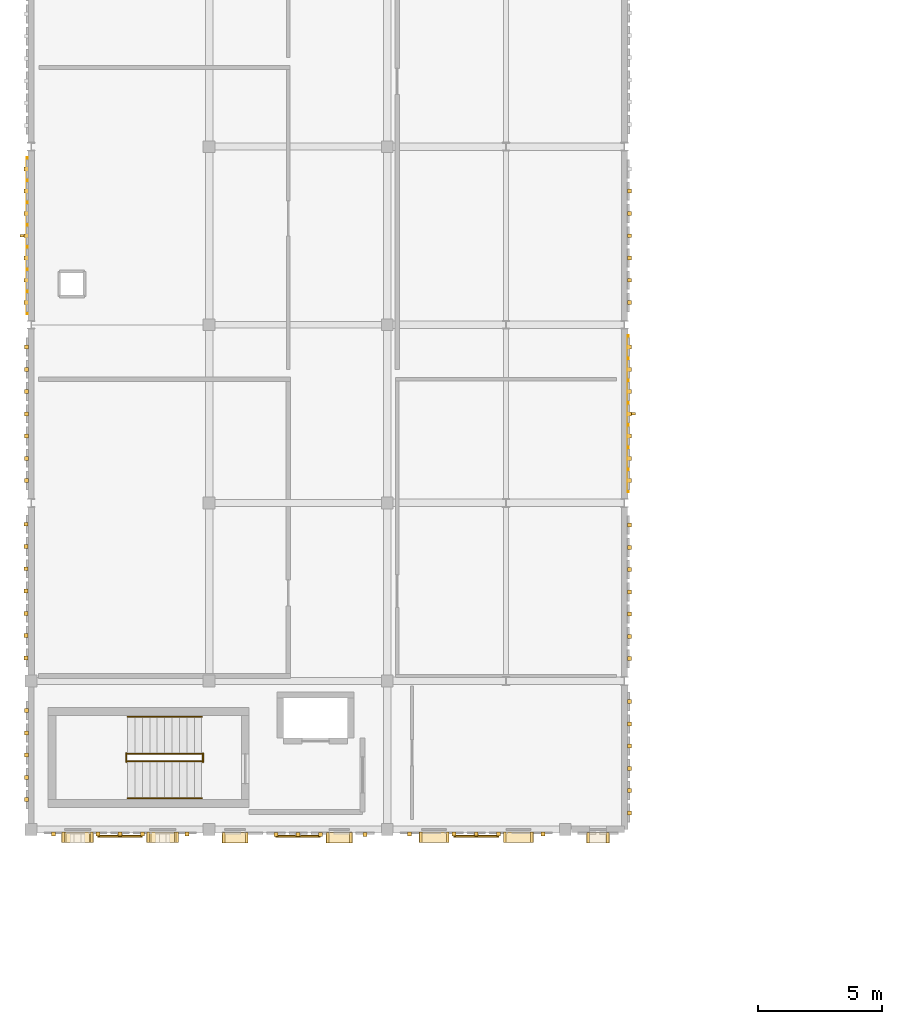
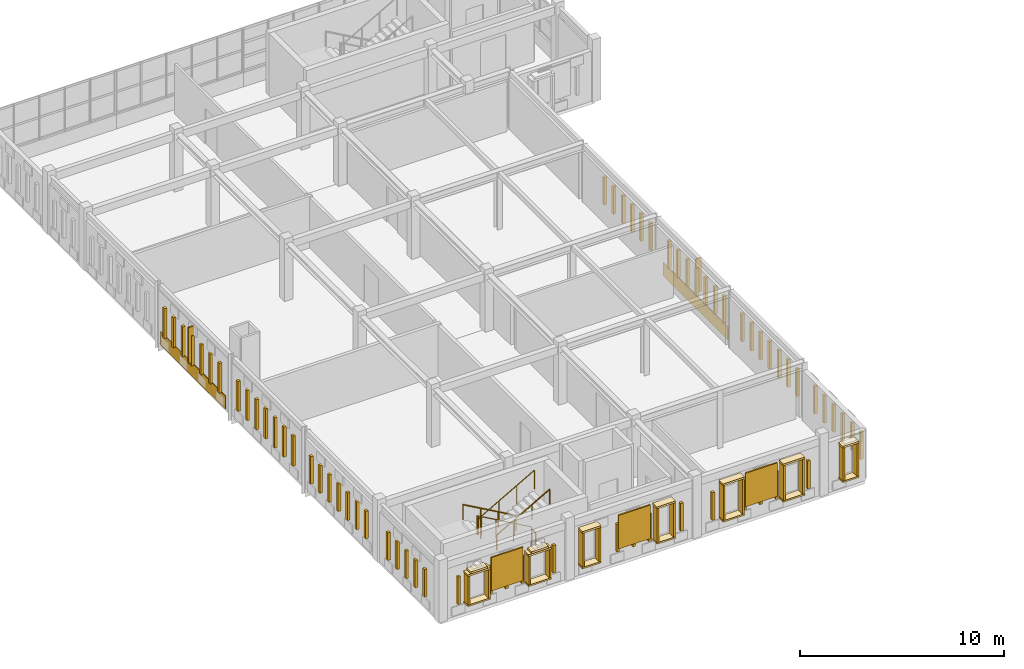
# One storey, part 40 of 53: 98 coverings, 6 railings, 5 shading devices.
"""IFC4 building model written with IfcOpenShell, lengths in metres."""

from ifc_helpers import new_model, si_unit, direction, frame, origin, origin_2d, place, context, subcontext, project, spatial, rectangle, circle, extrude, material, layer, layer_set, type_object, element, save


model = new_model("IFC4")

# Units and contexts
model_context = context("Model", 3, precision=1e-05, world=origin(), true_north=direction((0.0, 1.0)))
body_context = subcontext(model_context, "Body", "Model", "MODEL_VIEW")
ifc_project = project(units=[si_unit("LENGTHUNIT", "METRE"), si_unit("AREAUNIT", "SQUARE_METRE"), si_unit("VOLUMEUNIT", "CUBIC_METRE"), si_unit("PLANEANGLEUNIT", "RADIAN"), si_unit("MASSUNIT", "GRAM", prefix="KILO")], contexts=[model_context])

# Site, building, storey
site_placement = place(None, origin())
site = spatial("IfcSite", under=ifc_project, at=site_placement, CompositionType="ELEMENT")
building_placement = place(site_placement, origin())
building = spatial("IfcBuilding", under=site, at=building_placement, Name="Nzembalo Square Collegiate School", CompositionType="ELEMENT")
storey_placement = place(building_placement, frame((0.0, 0.0, 13.60009765625)))
storey = spatial("IfcBuildingStorey", under=building, at=storey_placement, Name="L03", CompositionType="ELEMENT", Elevation=13.60009765625)

# Coverings
ifc_material_1 = material(Name="Glazed cobalt ceramic patterned tile")
ifc_layer_1 = layer(ifc_material_1, 0.074951171875, Name="Glazed cobalt ceramic patterned tile")
ifc_layer_set_1 = layer_set([ifc_layer_1], Name="Glazed cobalt ceramic patterned tile")
covering_type_1 = type_object("IfcCoveringType", Name="CL01", PredefinedType="CLADDING", material=ifc_layer_set_1)
for number, where, z_axis, x_axis, name in (
    (1, (8.25244140625, 68.39990234375, 0.02001953125), (0.0, 0.0, 1.0), (1.0, 0.0, 0.0), "Faience spandrel cladding CL01-0228"),
    (2, (32.547607421875, 61.199951171875, 0.02001953125), (0.0, 0.0, 1.0), (1.0, 0.0, 0.0), "Faience spandrel cladding CL01-0236"),
):
    element("IfcCovering", number, at=place(storey_placement, frame(where, z_axis=z_axis, x_axis=x_axis)), inside=storey, type_object=covering_type_1, Name=name, PredefinedType="CLADDING", context=body_context, shape_type="SweptSolid", body=[
        extrude(rectangle(XDim=0.034912109375, YDim=6.35595703125, at=origin_2d()), origin(), (0.0, 0.0, 1.0), 0.800048828125),
    ])
ifc_material_2 = material(Name="Glazed ochre ceramic lancet rib")
ifc_layer_2 = layer(ifc_material_2, 0.159912109375, Name="Glazed ochre ceramic lancet rib")
ifc_layer_set_2 = layer_set([ifc_layer_2], Name="Glazed ochre ceramic lancet rib")
covering_type_2 = type_object("IfcCoveringType", Name="CL02", PredefinedType="CLADDING", material=ifc_layer_set_2)
for number, where, z_axis, x_axis, name in (
    (3, (9.300048828125, 44.20751953125, 0.760009765625), (0.0, 0.0, 1.0), (1.0, 0.0, 0.0), "Gothic ceramic rib CL02-X0221-0"),
    (4, (11.10009765625, 44.20751953125, 0.760009765625), (0.0, 0.0, 1.0), (1.0, 0.0, 0.0), "Gothic ceramic rib CL02-X0221-2"),
    (5, (12.0, 44.20751953125, 0.760009765625), (0.0, 0.0, 1.0), (1.0, 0.0, 0.0), "Gothic ceramic rib CL02-X0221-3"),
    (6, (12.89990234375, 44.20751953125, 0.760009765625), (0.0, 0.0, 1.0), (1.0, 0.0, 0.0), "Gothic ceramic rib CL02-X0221-4"),
    (7, (14.699951171875, 44.20751953125, 0.760009765625), (0.0, 0.0, 1.0), (1.0, 0.0, 0.0), "Gothic ceramic rib CL02-X0221-6"),
):
    element("IfcCovering", number, at=place(storey_placement, frame(where, z_axis=z_axis, x_axis=x_axis)), inside=storey, type_object=covering_type_2, Name=name, PredefinedType="CLADDING", context=body_context, shape_type="SweptSolid", body=[
        extrude(rectangle(XDim=0.159912109375, YDim=0.159912109375, at=origin_2d()), origin(), (0.0, 0.0, 1.0), 1.64892578125),
    ])
for number, where, z_axis, x_axis, name in (
    (8, (18.300048828125, 44.197509765625, 0.759765625), (0.0, 0.0, 1.0), (1.0, 0.0, 0.0), "Gothic ceramic rib CL02-X0222-2"),
    (9, (19.199951171875, 44.197509765625, 0.759765625), (0.0, 0.0, 1.0), (1.0, 0.0, 0.0), "Gothic ceramic rib CL02-X0222-3"),
    (10, (20.10009765625, 44.197509765625, 0.759765625), (0.0, 0.0, 1.0), (1.0, 0.0, 0.0), "Gothic ceramic rib CL02-X0222-4"),
    (11, (21.89990234375, 44.197509765625, 0.759765625), (0.0, 0.0, 1.0), (1.0, 0.0, 0.0), "Gothic ceramic rib CL02-X0222-6"),
    (12, (23.699951171875, 44.20751953125, 0.759765625), (0.0, 0.0, 1.0), (1.0, 0.0, 0.0), "Gothic ceramic rib CL02-X0223-0"),
    (13, (25.5, 44.20751953125, 0.759765625), (0.0, 0.0, 1.0), (1.0, 0.0, 0.0), "Gothic ceramic rib CL02-X0223-2"),
    (14, (26.39990234375, 44.20751953125, 0.759765625), (0.0, 0.0, 1.0), (1.0, 0.0, 0.0), "Gothic ceramic rib CL02-X0223-3"),
    (15, (27.300048828125, 44.20751953125, 0.759765625), (0.0, 0.0, 1.0), (1.0, 0.0, 0.0), "Gothic ceramic rib CL02-X0223-4"),
    (16, (29.10009765625, 44.20751953125, 0.759765625), (0.0, 0.0, 1.0), (1.0, 0.0, 0.0), "Gothic ceramic rib CL02-X0223-6"),
):
    element("IfcCovering", number, at=place(storey_placement, frame(where, z_axis=z_axis, x_axis=x_axis)), inside=storey, type_object=covering_type_2, Name=name, PredefinedType="CLADDING", context=body_context, shape_type="SweptSolid", body=[
        extrude(rectangle(XDim=0.159912109375, YDim=0.159912109375, at=origin_2d()), origin(), (0.0, 0.0, 1.0), 1.658935546875),
    ])
for number, where, z_axis, x_axis, name in (
    (17, (8.20751953125, 45.60009765625, 0.760009765625), (0.0, 0.0, 1.0), (1.0, 0.0, 0.0), "Gothic ceramic rib CL02-Y0225-0"),
    (18, (8.20751953125, 46.5, 0.760009765625), (0.0, 0.0, 1.0), (1.0, 0.0, 0.0), "Gothic ceramic rib CL02-Y0225-1"),
    (19, (8.20751953125, 47.39990234375, 0.760009765625), (0.0, 0.0, 1.0), (1.0, 0.0, 0.0), "Gothic ceramic rib CL02-Y0225-2"),
    (20, (8.20751953125, 48.300048828125, 0.760009765625), (0.0, 0.0, 1.0), (1.0, 0.0, 0.0), "Gothic ceramic rib CL02-Y0225-3"),
    (21, (8.20751953125, 49.199951171875, 0.760009765625), (0.0, 0.0, 1.0), (1.0, 0.0, 0.0), "Gothic ceramic rib CL02-Y0225-4"),
    (22, (8.197509765625, 51.3349609375, 0.760009765625), (0.0, 0.0, 1.0), (1.0, 0.0, 0.0), "Gothic ceramic rib CL02-Y0226-0"),
    (23, (8.197509765625, 52.235107421875, 0.760009765625), (0.0, 0.0, 1.0), (1.0, 0.0, 0.0), "Gothic ceramic rib CL02-Y0226-1"),
    (24, (8.197509765625, 53.135009765625, 0.760009765625), (0.0, 0.0, 1.0), (1.0, 0.0, 0.0), "Gothic ceramic rib CL02-Y0226-2"),
    (25, (8.197509765625, 54.034912109375, 0.760009765625), (0.0, 0.0, 1.0), (1.0, 0.0, 0.0), "Gothic ceramic rib CL02-Y0226-3"),
    (26, (8.197509765625, 54.93505859375, 0.760009765625), (0.0, 0.0, 1.0), (1.0, 0.0, 0.0), "Gothic ceramic rib CL02-Y0226-4"),
    (27, (8.197509765625, 55.8349609375, 0.760009765625), (0.0, 0.0, 1.0), (1.0, 0.0, 0.0), "Gothic ceramic rib CL02-Y0226-5"),
    (28, (8.197509765625, 56.735107421875, 0.760009765625), (0.0, 0.0, 1.0), (1.0, 0.0, 0.0), "Gothic ceramic rib CL02-Y0226-6"),
):
    element("IfcCovering", number, at=place(storey_placement, frame(where, z_axis=z_axis, x_axis=x_axis)), inside=storey, type_object=covering_type_2, Name=name, PredefinedType="CLADDING", context=body_context, shape_type="SweptSolid", body=[
        extrude(rectangle(XDim=0.159912109375, YDim=0.159912109375, at=origin_2d()), origin(), (0.0, 0.0, 1.0), 1.64892578125),
    ])
for number, where, z_axis, x_axis, name in (
    (29, (8.20751953125, 58.5, 0.759765625), (0.0, 0.0, 1.0), (1.0, 0.0, 0.0), "Gothic ceramic rib CL02-Y0227-0"),
    (30, (8.20751953125, 59.39990234375, 0.759765625), (0.0, 0.0, 1.0), (1.0, 0.0, 0.0), "Gothic ceramic rib CL02-Y0227-1"),
    (31, (8.20751953125, 60.300048828125, 0.759765625), (0.0, 0.0, 1.0), (1.0, 0.0, 0.0), "Gothic ceramic rib CL02-Y0227-2"),
    (32, (8.20751953125, 61.199951171875, 0.759765625), (0.0, 0.0, 1.0), (1.0, 0.0, 0.0), "Gothic ceramic rib CL02-Y0227-3"),
    (33, (8.20751953125, 62.10009765625, 0.759765625), (0.0, 0.0, 1.0), (1.0, 0.0, 0.0), "Gothic ceramic rib CL02-Y0227-4"),
    (34, (8.20751953125, 63.0, 0.759765625), (0.0, 0.0, 1.0), (1.0, 0.0, 0.0), "Gothic ceramic rib CL02-Y0227-5"),
    (35, (8.20751953125, 63.89990234375, 0.759765625), (0.0, 0.0, 1.0), (1.0, 0.0, 0.0), "Gothic ceramic rib CL02-Y0227-6"),
    (36, (8.197509765625, 65.699951171875, 0.759765625), (0.0, 0.0, 1.0), (1.0, 0.0, 0.0), "Gothic ceramic rib CL02-Y0228-0"),
    (37, (8.197509765625, 66.60009765625, 0.759765625), (0.0, 0.0, 1.0), (1.0, 0.0, 0.0), "Gothic ceramic rib CL02-Y0228-1"),
    (38, (8.197509765625, 67.5, 0.759765625), (0.0, 0.0, 1.0), (1.0, 0.0, 0.0), "Gothic ceramic rib CL02-Y0228-2"),
    (39, (8.197509765625, 68.39990234375, 0.759765625), (0.0, 0.0, 1.0), (1.0, 0.0, 0.0), "Gothic ceramic rib CL02-Y0228-3"),
    (40, (8.197509765625, 69.300048828125, 0.759765625), (0.0, 0.0, 1.0), (1.0, 0.0, 0.0), "Gothic ceramic rib CL02-Y0228-4"),
    (41, (8.197509765625, 70.199951171875, 0.759765625), (0.0, 0.0, 1.0), (1.0, 0.0, 0.0), "Gothic ceramic rib CL02-Y0228-5"),
    (42, (8.197509765625, 71.10009765625, 0.759765625), (0.0, 0.0, 1.0), (1.0, 0.0, 0.0), "Gothic ceramic rib CL02-Y0228-6"),
):
    element("IfcCovering", number, at=place(storey_placement, frame(where, z_axis=z_axis, x_axis=x_axis)), inside=storey, type_object=covering_type_2, Name=name, PredefinedType="CLADDING", context=body_context, shape_type="SweptSolid", body=[
        extrude(rectangle(XDim=0.159912109375, YDim=0.159912109375, at=origin_2d()), origin(), (0.0, 0.0, 1.0), 1.799072265625),
    ])
for number, where, z_axis, x_axis, name in (
    (43, (32.6025390625, 45.06396484375, 0.760009765625), (0.0, 0.0, 1.0), (1.0, 0.0, 0.0), "Gothic ceramic rib CL02-Y0234-0"),
    (44, (32.6025390625, 45.964111328125, 0.760009765625), (0.0, 0.0, 1.0), (1.0, 0.0, 0.0), "Gothic ceramic rib CL02-Y0234-1"),
    (45, (32.6025390625, 46.864013671875, 0.760009765625), (0.0, 0.0, 1.0), (1.0, 0.0, 0.0), "Gothic ceramic rib CL02-Y0234-2"),
    (46, (32.6025390625, 47.763916015625, 0.760009765625), (0.0, 0.0, 1.0), (1.0, 0.0, 0.0), "Gothic ceramic rib CL02-Y0234-3"),
    (47, (32.6025390625, 48.6640625, 0.760009765625), (0.0, 0.0, 1.0), (1.0, 0.0, 0.0), "Gothic ceramic rib CL02-Y0234-4"),
    (48, (32.6025390625, 49.56396484375, 0.760009765625), (0.0, 0.0, 1.0), (1.0, 0.0, 0.0), "Gothic ceramic rib CL02-Y0234-5"),
    (49, (32.592529296875, 51.300048828125, 0.760009765625), (0.0, 0.0, 1.0), (1.0, 0.0, 0.0), "Gothic ceramic rib CL02-Y0235-0"),
    (50, (32.592529296875, 52.199951171875, 0.760009765625), (0.0, 0.0, 1.0), (1.0, 0.0, 0.0), "Gothic ceramic rib CL02-Y0235-1"),
    (51, (32.592529296875, 53.10009765625, 0.760009765625), (0.0, 0.0, 1.0), (1.0, 0.0, 0.0), "Gothic ceramic rib CL02-Y0235-2"),
    (52, (32.592529296875, 54.0, 0.760009765625), (0.0, 0.0, 1.0), (1.0, 0.0, 0.0), "Gothic ceramic rib CL02-Y0235-3"),
    (53, (32.592529296875, 54.89990234375, 0.760009765625), (0.0, 0.0, 1.0), (1.0, 0.0, 0.0), "Gothic ceramic rib CL02-Y0235-4"),
    (54, (32.592529296875, 55.800048828125, 0.760009765625), (0.0, 0.0, 1.0), (1.0, 0.0, 0.0), "Gothic ceramic rib CL02-Y0235-5"),
    (55, (32.592529296875, 56.699951171875, 0.760009765625), (0.0, 0.0, 1.0), (1.0, 0.0, 0.0), "Gothic ceramic rib CL02-Y0235-6"),
    (56, (32.6025390625, 58.5, 0.760009765625), (0.0, 0.0, 1.0), (1.0, 0.0, 0.0), "Gothic ceramic rib CL02-Y0236-0"),
    (57, (32.6025390625, 59.39990234375, 0.760009765625), (0.0, 0.0, 1.0), (1.0, 0.0, 0.0), "Gothic ceramic rib CL02-Y0236-1"),
    (58, (32.6025390625, 60.300048828125, 0.760009765625), (0.0, 0.0, 1.0), (1.0, 0.0, 0.0), "Gothic ceramic rib CL02-Y0236-2"),
    (59, (32.6025390625, 61.199951171875, 0.760009765625), (0.0, 0.0, 1.0), (1.0, 0.0, 0.0), "Gothic ceramic rib CL02-Y0236-3"),
    (60, (32.6025390625, 62.10009765625, 0.760009765625), (0.0, 0.0, 1.0), (1.0, 0.0, 0.0), "Gothic ceramic rib CL02-Y0236-4"),
    (61, (32.6025390625, 63.0, 0.760009765625), (0.0, 0.0, 1.0), (1.0, 0.0, 0.0), "Gothic ceramic rib CL02-Y0236-5"),
    (62, (32.6025390625, 63.89990234375, 0.760009765625), (0.0, 0.0, 1.0), (1.0, 0.0, 0.0), "Gothic ceramic rib CL02-Y0236-6"),
    (63, (32.592529296875, 65.699951171875, 0.760009765625), (0.0, 0.0, 1.0), (1.0, 0.0, 0.0), "Gothic ceramic rib CL02-Y0237-0"),
    (64, (32.592529296875, 66.60009765625, 0.760009765625), (0.0, 0.0, 1.0), (1.0, 0.0, 0.0), "Gothic ceramic rib CL02-Y0237-1"),
    (65, (32.592529296875, 67.5, 0.760009765625), (0.0, 0.0, 1.0), (1.0, 0.0, 0.0), "Gothic ceramic rib CL02-Y0237-2"),
    (66, (32.592529296875, 68.39990234375, 0.760009765625), (0.0, 0.0, 1.0), (1.0, 0.0, 0.0), "Gothic ceramic rib CL02-Y0237-3"),
    (67, (32.592529296875, 69.300048828125, 0.760009765625), (0.0, 0.0, 1.0), (1.0, 0.0, 0.0), "Gothic ceramic rib CL02-Y0237-4"),
    (68, (32.592529296875, 70.199951171875, 0.760009765625), (0.0, 0.0, 1.0), (1.0, 0.0, 0.0), "Gothic ceramic rib CL02-Y0237-5"),
):
    element("IfcCovering", number, at=place(storey_placement, frame(where, z_axis=z_axis, x_axis=x_axis)), inside=storey, type_object=covering_type_2, Name=name, PredefinedType="CLADDING", context=body_context, shape_type="SweptSolid", body=[
        extrude(rectangle(XDim=0.159912109375, YDim=0.159912109375, at=origin_2d()), origin(), (0.0, 0.0, 1.0), 1.64892578125),
    ])
ifc_material_3 = material(Name="Glazed celadon ceramic window frame")
ifc_layer_3 = layer(ifc_material_3, 0.419921875, Name="Glazed celadon ceramic window frame")
ifc_layer_set_3 = layer_set([ifc_layer_3], Name="Glazed celadon ceramic window frame")
covering_type_3 = type_object("IfcCoveringType", Name="WF01", PredefinedType="CLADDING", material=ifc_layer_set_3)
covering_1_placement = place(storey_placement, frame((10.278564453125, 44.072509765625, 2.455078125), z_axis=(0.0, 0.0, 1.0), x_axis=(1.0, 0.0, 0.0)))
element("IfcCovering", 69, at=covering_1_placement, inside=storey, type_object=covering_type_3, Name="Deep lancet window hood WF01-0679", PredefinedType="CLADDING", context=body_context, shape_type="SweptSolid", body=[
    extrude(rectangle(XDim=1.2900390625, YDim=0.419921875, at=origin_2d()), origin(), (0.0, 0.0, 1.0), 0.110107421875),
])
covering_2_placement = place(storey_placement, frame((10.278564453125, 44.072509765625, 2.559814453125), z_axis=(0.0, 0.0, 1.0), x_axis=(1.0, 0.0, 0.0)))
element("IfcCovering", 70, at=covering_2_placement, inside=storey, type_object=covering_type_3, Name="Pointed lancet gable WF01-0679-1", PredefinedType="CLADDING", context=body_context, shape_type="SweptSolid", body=[
    extrude(rectangle(XDim=0.949951171875, YDim=0.419921875, at=origin_2d()), origin(), (0.0, 0.0, 1.0), 0.1201171875),
])
covering_3_placement = place(storey_placement, frame((10.278564453125, 44.072509765625, 0.65478515625), z_axis=(0.0, 0.0, 1.0), x_axis=(1.0, 0.0, 0.0)))
element("IfcCovering", 71, at=covering_3_placement, inside=storey, type_object=covering_type_3, Name="Deep lancet window sill WF01-0679", PredefinedType="CLADDING", context=body_context, shape_type="SweptSolid", body=[
    extrude(rectangle(XDim=1.2900390625, YDim=0.419921875, at=origin_2d()), origin(), (0.0, 0.0, 1.0), 0.090087890625),
])
for number, where, z_axis, x_axis, name in (
    (72, (9.698486328125, 44.072509765625, 0.75), (0.0, 0.0, 1.0), (1.0, 0.0, 0.0), "Deep lancet window jamb WF01-0679L"),
    (73, (10.8583984375, 44.072509765625, 0.75), (0.0, 0.0, 1.0), (1.0, 0.0, 0.0), "Deep lancet window jamb WF01-0679R"),
):
    element("IfcCovering", number, at=place(storey_placement, frame(where, z_axis=z_axis, x_axis=x_axis)), inside=storey, type_object=covering_type_3, Name=name, PredefinedType="CLADDING", context=body_context, shape_type="SweptSolid", body=[
        extrude(rectangle(XDim=0.10009765625, YDim=0.419921875, at=origin_2d()), origin(), (0.0, 0.0, 1.0), 1.699951171875),
    ])
covering_4_placement = place(storey_placement, frame((13.721435546875, 44.072509765625, 2.455078125), z_axis=(0.0, 0.0, 1.0), x_axis=(1.0, 0.0, 0.0)))
element("IfcCovering", 74, at=covering_4_placement, inside=storey, type_object=covering_type_3, Name="Deep lancet window hood WF01-0680", PredefinedType="CLADDING", context=body_context, shape_type="SweptSolid", body=[
    extrude(rectangle(XDim=1.2900390625, YDim=0.419921875, at=origin_2d()), origin(), (0.0, 0.0, 1.0), 0.110107421875),
])
covering_5_placement = place(storey_placement, frame((13.721435546875, 44.072509765625, 2.559814453125), z_axis=(0.0, 0.0, 1.0), x_axis=(1.0, 0.0, 0.0)))
element("IfcCovering", 75, at=covering_5_placement, inside=storey, type_object=covering_type_3, Name="Pointed lancet gable WF01-0680-1", PredefinedType="CLADDING", context=body_context, shape_type="SweptSolid", body=[
    extrude(rectangle(XDim=0.949951171875, YDim=0.419921875, at=origin_2d()), origin(), (0.0, 0.0, 1.0), 0.1201171875),
])
covering_6_placement = place(storey_placement, frame((13.721435546875, 44.072509765625, 0.65478515625), z_axis=(0.0, 0.0, 1.0), x_axis=(1.0, 0.0, 0.0)))
element("IfcCovering", 76, at=covering_6_placement, inside=storey, type_object=covering_type_3, Name="Deep lancet window sill WF01-0680", PredefinedType="CLADDING", context=body_context, shape_type="SweptSolid", body=[
    extrude(rectangle(XDim=1.2900390625, YDim=0.419921875, at=origin_2d()), origin(), (0.0, 0.0, 1.0), 0.090087890625),
])
for number, where, z_axis, x_axis, name in (
    (77, (13.1416015625, 44.072509765625, 0.75), (0.0, 0.0, 1.0), (1.0, 0.0, 0.0), "Deep lancet window jamb WF01-0680L"),
    (78, (14.301513671875, 44.072509765625, 0.75), (0.0, 0.0, 1.0), (1.0, 0.0, 0.0), "Deep lancet window jamb WF01-0680R"),
):
    element("IfcCovering", number, at=place(storey_placement, frame(where, z_axis=z_axis, x_axis=x_axis)), inside=storey, type_object=covering_type_3, Name=name, PredefinedType="CLADDING", context=body_context, shape_type="SweptSolid", body=[
        extrude(rectangle(XDim=0.10009765625, YDim=0.419921875, at=origin_2d()), origin(), (0.0, 0.0, 1.0), 1.699951171875),
    ])
covering_7_placement = place(storey_placement, frame((16.64990234375, 44.0625, 2.77490234375), z_axis=(0.0, 0.0, 1.0), x_axis=(1.0, 0.0, 0.0)))
element("IfcCovering", 79, at=covering_7_placement, inside=storey, type_object=covering_type_3, Name="Deep lancet window hood WF01-0703", PredefinedType="CLADDING", context=body_context, shape_type="SweptSolid", body=[
    extrude(rectangle(XDim=1.06005859375, YDim=0.419921875, at=origin_2d()), origin(), (0.0, 0.0, 1.0), 0.110107421875),
])
covering_8_placement = place(storey_placement, frame((16.64990234375, 44.0625, 0.65478515625), z_axis=(0.0, 0.0, 1.0), x_axis=(1.0, 0.0, 0.0)))
element("IfcCovering", 80, at=covering_8_placement, inside=storey, type_object=covering_type_3, Name="Deep lancet window sill WF01-0703", PredefinedType="CLADDING", context=body_context, shape_type="SweptSolid", body=[
    extrude(rectangle(XDim=1.06005859375, YDim=0.419921875, at=origin_2d()), origin(), (0.0, 0.0, 1.0), 0.090087890625),
])
for number, where, z_axis, x_axis, name in (
    (81, (16.18505859375, 44.0625, 0.75), (0.0, 0.0, 1.0), (1.0, 0.0, 0.0), "Deep lancet window jamb WF01-0703L"),
    (82, (17.114990234375, 44.0625, 0.75), (0.0, 0.0, 1.0), (1.0, 0.0, 0.0), "Deep lancet window jamb WF01-0703R"),
):
    element("IfcCovering", number, at=place(storey_placement, frame(where, z_axis=z_axis, x_axis=x_axis)), inside=storey, type_object=covering_type_3, Name=name, PredefinedType="CLADDING", context=body_context, shape_type="SweptSolid", body=[
        extrude(rectangle(XDim=0.10009765625, YDim=0.419921875, at=origin_2d()), origin(), (0.0, 0.0, 1.0), 2.02001953125),
    ])
covering_9_placement = place(storey_placement, frame((20.864013671875, 44.0625, 2.77490234375), z_axis=(0.0, 0.0, 1.0), x_axis=(1.0, 0.0, 0.0)))
element("IfcCovering", 83, at=covering_9_placement, inside=storey, type_object=covering_type_3, Name="Deep lancet window hood WF01-0704", PredefinedType="CLADDING", context=body_context, shape_type="SweptSolid", body=[
    extrude(rectangle(XDim=1.06005859375, YDim=0.419921875, at=origin_2d()), origin(), (0.0, 0.0, 1.0), 0.110107421875),
])
covering_10_placement = place(storey_placement, frame((20.864013671875, 44.0625, 0.65478515625), z_axis=(0.0, 0.0, 1.0), x_axis=(1.0, 0.0, 0.0)))
element("IfcCovering", 84, at=covering_10_placement, inside=storey, type_object=covering_type_3, Name="Deep lancet window sill WF01-0704", PredefinedType="CLADDING", context=body_context, shape_type="SweptSolid", body=[
    extrude(rectangle(XDim=1.06005859375, YDim=0.419921875, at=origin_2d()), origin(), (0.0, 0.0, 1.0), 0.090087890625),
])
for number, where, z_axis, x_axis, name in (
    (85, (20.39892578125, 44.0625, 0.75), (0.0, 0.0, 1.0), (1.0, 0.0, 0.0), "Deep lancet window jamb WF01-0704L"),
    (86, (21.3291015625, 44.0625, 0.75), (0.0, 0.0, 1.0), (1.0, 0.0, 0.0), "Deep lancet window jamb WF01-0704R"),
):
    element("IfcCovering", number, at=place(storey_placement, frame(where, z_axis=z_axis, x_axis=x_axis)), inside=storey, type_object=covering_type_3, Name=name, PredefinedType="CLADDING", context=body_context, shape_type="SweptSolid", body=[
        extrude(rectangle(XDim=0.10009765625, YDim=0.419921875, at=origin_2d()), origin(), (0.0, 0.0, 1.0), 2.02001953125),
    ])
covering_11_placement = place(storey_placement, frame((24.696044921875, 44.072509765625, 2.8349609375), z_axis=(0.0, 0.0, 1.0), x_axis=(1.0, 0.0, 0.0)))
element("IfcCovering", 87, at=covering_11_placement, inside=storey, type_object=covering_type_3, Name="Deep lancet window hood WF01-0706", PredefinedType="CLADDING", context=body_context, shape_type="SweptSolid", body=[
    extrude(rectangle(XDim=1.219970703125, YDim=0.419921875, at=origin_2d()), origin(), (0.0, 0.0, 1.0), 0.110107421875),
])
covering_12_placement = place(storey_placement, frame((24.696044921875, 44.072509765625, 0.65478515625), z_axis=(0.0, 0.0, 1.0), x_axis=(1.0, 0.0, 0.0)))
element("IfcCovering", 88, at=covering_12_placement, inside=storey, type_object=covering_type_3, Name="Deep lancet window sill WF01-0706", PredefinedType="CLADDING", context=body_context, shape_type="SweptSolid", body=[
    extrude(rectangle(XDim=1.219970703125, YDim=0.419921875, at=origin_2d()), origin(), (0.0, 0.0, 1.0), 0.090087890625),
])
for number, where, z_axis, x_axis, name in (
    (89, (24.15087890625, 44.072509765625, 0.749755859375), (0.0, 0.0, 1.0), (1.0, 0.0, 0.0), "Deep lancet window jamb WF01-0706L"),
    (90, (25.240966796875, 44.072509765625, 0.749755859375), (0.0, 0.0, 1.0), (1.0, 0.0, 0.0), "Deep lancet window jamb WF01-0706R"),
):
    element("IfcCovering", number, at=place(storey_placement, frame(where, z_axis=z_axis, x_axis=x_axis)), inside=storey, type_object=covering_type_3, Name=name, PredefinedType="CLADDING", context=body_context, shape_type="SweptSolid", body=[
        extrude(rectangle(XDim=0.10009765625, YDim=0.419921875, at=origin_2d()), origin(), (0.0, 0.0, 1.0), 2.080078125),
    ])
covering_13_placement = place(storey_placement, frame((28.10400390625, 44.072509765625, 2.8349609375), z_axis=(0.0, 0.0, 1.0), x_axis=(1.0, 0.0, 0.0)))
element("IfcCovering", 91, at=covering_13_placement, inside=storey, type_object=covering_type_3, Name="Deep lancet window hood WF01-0707", PredefinedType="CLADDING", context=body_context, shape_type="SweptSolid", body=[
    extrude(rectangle(XDim=1.219970703125, YDim=0.419921875, at=origin_2d()), origin(), (0.0, 0.0, 1.0), 0.110107421875),
])
covering_14_placement = place(storey_placement, frame((28.10400390625, 44.072509765625, 0.65478515625), z_axis=(0.0, 0.0, 1.0), x_axis=(1.0, 0.0, 0.0)))
element("IfcCovering", 92, at=covering_14_placement, inside=storey, type_object=covering_type_3, Name="Deep lancet window sill WF01-0707", PredefinedType="CLADDING", context=body_context, shape_type="SweptSolid", body=[
    extrude(rectangle(XDim=1.219970703125, YDim=0.419921875, at=origin_2d()), origin(), (0.0, 0.0, 1.0), 0.090087890625),
])
for number, where, z_axis, x_axis, name in (
    (93, (27.55908203125, 44.072509765625, 0.749755859375), (0.0, 0.0, 1.0), (1.0, 0.0, 0.0), "Deep lancet window jamb WF01-0707L"),
    (94, (28.64892578125, 44.072509765625, 0.749755859375), (0.0, 0.0, 1.0), (1.0, 0.0, 0.0), "Deep lancet window jamb WF01-0707R"),
):
    element("IfcCovering", number, at=place(storey_placement, frame(where, z_axis=z_axis, x_axis=x_axis)), inside=storey, type_object=covering_type_3, Name=name, PredefinedType="CLADDING", context=body_context, shape_type="SweptSolid", body=[
        extrude(rectangle(XDim=0.10009765625, YDim=0.419921875, at=origin_2d()), origin(), (0.0, 0.0, 1.0), 2.080078125),
    ])
covering_15_placement = place(storey_placement, frame((31.321044921875, 44.0625, 2.71484375), z_axis=(0.0, 0.0, 1.0), x_axis=(1.0, 0.0, 0.0)))
element("IfcCovering", 95, at=covering_15_placement, inside=storey, type_object=covering_type_3, Name="Deep lancet window hood WF01-0725", PredefinedType="CLADDING", context=body_context, shape_type="SweptSolid", body=[
    extrude(rectangle(XDim=0.919921875, YDim=0.419921875, at=origin_2d()), origin(), (0.0, 0.0, 1.0), 0.110107421875),
])
covering_16_placement = place(storey_placement, frame((31.321044921875, 44.0625, 0.65478515625), z_axis=(0.0, 0.0, 1.0), x_axis=(1.0, 0.0, 0.0)))
element("IfcCovering", 96, at=covering_16_placement, inside=storey, type_object=covering_type_3, Name="Deep lancet window sill WF01-0725", PredefinedType="CLADDING", context=body_context, shape_type="SweptSolid", body=[
    extrude(rectangle(XDim=0.919921875, YDim=0.419921875, at=origin_2d()), origin(), (0.0, 0.0, 1.0), 0.090087890625),
])
for number, where, z_axis, x_axis, name in (
    (97, (30.926025390625, 44.0625, 0.75), (0.0, 0.0, 1.0), (1.0, 0.0, 0.0), "Deep lancet window jamb WF01-0725L"),
    (98, (31.716064453125, 44.0625, 0.75), (0.0, 0.0, 1.0), (1.0, 0.0, 0.0), "Deep lancet window jamb WF01-0725R"),
):
    element("IfcCovering", number, at=place(storey_placement, frame(where, z_axis=z_axis, x_axis=x_axis)), inside=storey, type_object=covering_type_3, Name=name, PredefinedType="CLADDING", context=body_context, shape_type="SweptSolid", body=[
        extrude(rectangle(XDim=0.10009765625, YDim=0.419921875, at=origin_2d()), origin(), (0.0, 0.0, 1.0), 1.9599609375),
    ])

# Railings
ifc_material_4 = material(Name="Steel S355", Category="steel")
railing_type_1 = type_object("IfcRailingType", Name="GR01", PredefinedType="GUARDRAIL", material=ifc_material_4)
railing_1_placement = place(storey_placement, frame((15.300048828125, 47.449951171875, 0.159912109375)))
element("IfcRailing", 99, at=railing_1_placement, inside=storey, type_object=railing_type_1, Name="Stair guard GR-05-1", PredefinedType="GUARDRAIL", context=body_context, shape_type="SweptSolid", body=[
    extrude(circle(Radius=0.02392578125, at=origin_2d()), frame((0.0, 0.0, 1.1259765625), z_axis=(-0.870028259722, 0.0, 0.493001853226), x_axis=(0.0, -1.0, 0.0)), (0.0, 0.0, 1.0), 3.4482421875),
    extrude(circle(Radius=0.02099609375, at=origin_2d()), origin(), (0.0, 0.0, 1.0), 1.101806640625),
    extrude(circle(Radius=0.02099609375, at=origin_2d()), frame((-1.0, 0.0, 0.566650390625)), (0.0, 0.0, 1.0), 1.101806640625),
    extrude(circle(Radius=0.02099609375, at=origin_2d()), frame((-2.0, 0.0, 1.13330078125)), (0.0, 0.0, 1.0), 1.101806640625),
    extrude(circle(Radius=0.02099609375, at=origin_2d()), frame((-3.0, 0.0, 1.699951171875)), (0.0, 0.0, 1.0), 1.101806640625),
])
railing_2_placement = place(storey_placement, frame((12.25, 47.1201171875, 1.864990234375)))
element("IfcRailing", 100, at=railing_2_placement, inside=storey, type_object=railing_type_1, Name="Stair guard GR-05-2", PredefinedType="GUARDRAIL", context=body_context, shape_type="SweptSolid", body=[
    extrude(circle(Radius=0.02392578125, at=origin_2d()), frame((0.0, 0.0, 1.1259765625), z_axis=(0.0, 1.0, 0.0), x_axis=(-1.0, 0.0, 0.0)), (0.0, 0.0, 1.0), 0.35986328125),
    extrude(circle(Radius=0.02099609375, at=origin_2d()), origin(), (0.0, 0.0, 1.0), 1.101806640625),
    extrude(circle(Radius=0.02099609375, at=origin_2d()), frame((0.0, 0.35986328125, 0.0)), (0.0, 0.0, 1.0), 1.101806640625),
])
railing_3_placement = place(storey_placement, frame((12.300048828125, 47.14990234375, 2.02978515625)))
element("IfcRailing", 101, at=railing_3_placement, inside=storey, type_object=railing_type_1, Name="Stair guard GR-05-3", PredefinedType="GUARDRAIL", context=body_context, shape_type="SweptSolid", body=[
    extrude(circle(Radius=0.02392578125, at=origin_2d()), frame((0.0, 0.0, 1.1259765625), z_axis=(0.869997889882, 0.0, 0.493055444754), x_axis=(0.0, 1.0, 0.0)), (0.0, 0.0, 1.0), 3.4482421875),
    extrude(circle(Radius=0.02099609375, at=origin_2d()), origin(), (0.0, 0.0, 1.0), 1.101806640625),
    extrude(circle(Radius=0.02099609375, at=origin_2d()), frame((1.0, 0.0, 0.566650390625)), (0.0, 0.0, 1.0), 1.101806640625),
    extrude(circle(Radius=0.02099609375, at=origin_2d()), frame((2.0, 0.0, 1.133544921875)), (0.0, 0.0, 1.0), 1.101806640625),
    extrude(circle(Radius=0.02099609375, at=origin_2d()), frame((3.0, 0.0, 1.7001953125)), (0.0, 0.0, 1.0), 1.101806640625),
])
railing_4_placement = place(storey_placement, frame((15.35009765625, 47.1201171875, -0.005126953125)))
element("IfcRailing", 102, at=railing_4_placement, inside=storey, type_object=railing_type_1, Name="Stair guard GR-05-4", PredefinedType="GUARDRAIL", context=body_context, shape_type="SweptSolid", body=[
    extrude(circle(Radius=0.02392578125, at=origin_2d()), frame((0.0, 0.0, 1.1259765625), z_axis=(0.0, 1.0, 0.0), x_axis=(-1.0, 0.0, 0.0)), (0.0, 0.0, 1.0), 0.35986328125),
    extrude(circle(Radius=0.02099609375, at=origin_2d()), origin(), (0.0, 0.0, 1.0), 1.101806640625),
    extrude(circle(Radius=0.02099609375, at=origin_2d()), frame((0.0, 0.35986328125, 0.0)), (0.0, 0.0, 1.0), 1.101806640625),
])
ifc_material_5 = material(Name="Steel S355", Category="steel")
railing_type_2 = type_object("IfcRailingType", Name="HR01", PredefinedType="HANDRAIL", material=ifc_material_5)
railing_5_placement = place(storey_placement, frame((15.300048828125, 48.949951171875, 0.159912109375)))
element("IfcRailing", 103, at=railing_5_placement, inside=storey, type_object=railing_type_2, Name="Stair handrail HR-05-1", PredefinedType="HANDRAIL", context=body_context, shape_type="SweptSolid", body=[
    extrude(circle(Radius=0.02392578125, at=origin_2d()), frame((0.0, 0.0, 0.89599609375), z_axis=(-0.870028259722, 0.0, 0.493001853226), x_axis=(0.0, -1.0, 0.0)), (0.0, 0.0, 1.0), 3.4482421875),
    extrude(circle(Radius=0.02099609375, at=origin_2d()), origin(), (0.0, 0.0, 1.0), 0.871826171875),
    extrude(circle(Radius=0.02099609375, at=origin_2d()), frame((-1.0, 0.0, 0.566650390625)), (0.0, 0.0, 1.0), 0.871826171875),
    extrude(circle(Radius=0.02099609375, at=origin_2d()), frame((-2.0, 0.0, 1.13330078125)), (0.0, 0.0, 1.0), 0.871826171875),
    extrude(circle(Radius=0.02099609375, at=origin_2d()), frame((-3.0, 0.0, 1.699951171875)), (0.0, 0.0, 1.0), 0.871826171875),
])
railing_6_placement = place(storey_placement, frame((12.300048828125, 45.64990234375, 2.02978515625)))
element("IfcRailing", 104, at=railing_6_placement, inside=storey, type_object=railing_type_2, Name="Stair handrail HR-05-2", PredefinedType="HANDRAIL", context=body_context, shape_type="SweptSolid", body=[
    extrude(circle(Radius=0.02392578125, at=origin_2d()), frame((0.0, 0.0, 0.89599609375), z_axis=(0.869997889882, 0.0, 0.493055444754), x_axis=(0.0, 1.0, 0.0)), (0.0, 0.0, 1.0), 3.4482421875),
    extrude(circle(Radius=0.02099609375, at=origin_2d()), origin(), (0.0, 0.0, 1.0), 0.871826171875),
    extrude(circle(Radius=0.02099609375, at=origin_2d()), frame((1.0, 0.0, 0.566650390625)), (0.0, 0.0, 1.0), 0.871826171875),
    extrude(circle(Radius=0.02099609375, at=origin_2d()), frame((2.0, 0.0, 1.133544921875)), (0.0, 0.0, 1.0), 0.871826171875),
    extrude(circle(Radius=0.02099609375, at=origin_2d()), frame((3.0, 0.0, 1.7001953125)), (0.0, 0.0, 1.0), 0.871826171875),
])

# Shading devices
ifc_material_6 = material(Name="Glazed ochre ceramic vertical fin")
shading_device_type_1 = type_object("IfcShadingDeviceType", Name="JL01", PredefinedType="JALOUSIE", material=ifc_material_6)
shading_device_1_placement = place(storey_placement, frame((8.112548828125, 68.39990234375, 0.949951171875), z_axis=(0.0, 0.0, 1.0), x_axis=(1.0, 0.0, 0.0)))
element("IfcShadingDevice", 105, at=shading_device_1_placement, inside=storey, type_object=shading_device_type_1, Name="Ceramic fin JL01-0228", PredefinedType="JALOUSIE", context=body_context, shape_type="SweptSolid", body=[
    extrude(rectangle(XDim=0.320068359375, YDim=0.090087890625, at=origin_2d()), origin(), (0.0, 0.0, 1.0), 2.14892578125),
])
shading_device_2_placement = place(storey_placement, frame((32.6875, 61.199951171875, 0.949951171875), z_axis=(0.0, 0.0, 1.0), x_axis=(1.0, 0.0, 0.0)))
element("IfcShadingDevice", 106, at=shading_device_2_placement, inside=storey, type_object=shading_device_type_1, Name="Ceramic fin JL01-0236", PredefinedType="JALOUSIE", context=body_context, shape_type="SweptSolid", body=[
    extrude(rectangle(XDim=0.320068359375, YDim=0.090087890625, at=origin_2d()), origin(), (0.0, 0.0, 1.0), 1.9990234375),
])
ifc_material_7 = material(Name="Glazed cobalt ceramic lancet screen")
ifc_layer_4 = layer(ifc_material_7, 0.080078125, Name="Glazed cobalt ceramic lancet screen")
ifc_layer_set_4 = layer_set([ifc_layer_4], Name="Glazed cobalt ceramic lancet screen")
shading_device_type_2 = type_object("IfcShadingDeviceType", Name="SC01", PredefinedType="USERDEFINED", material=ifc_layer_set_4)
shading_device_3_placement = place(storey_placement, frame((12.0, 44.12744140625, 0.949951171875), z_axis=(0.0, 0.0, 1.0), x_axis=(1.0, 0.0, 0.0)))
element("IfcShadingDevice", 107, at=shading_device_3_placement, inside=storey, type_object=shading_device_type_2, Name="Ceramic lancet screen SC01-021", ObjectType="SCREEN", PredefinedType="USERDEFINED", context=body_context, shape_type="SweptSolid", body=[
    extrude(rectangle(XDim=1.800048828125, YDim=0.080078125, at=origin_2d()), origin(), (0.0, 0.0, 1.0), 1.9990234375),
])
shading_device_4_placement = place(storey_placement, frame((26.39990234375, 44.12744140625, 0.94970703125), z_axis=(0.0, 0.0, 1.0), x_axis=(1.0, 0.0, 0.0)))
element("IfcShadingDevice", 108, at=shading_device_4_placement, inside=storey, type_object=shading_device_type_2, Name="Ceramic lancet screen SC01-023", ObjectType="SCREEN", PredefinedType="USERDEFINED", context=body_context, shape_type="SweptSolid", body=[
    extrude(rectangle(XDim=1.800048828125, YDim=0.080078125, at=origin_2d()), origin(), (0.0, 0.0, 1.0), 2.009033203125),
])
ifc_material_8 = material(Name="Glazed celadon ceramic lancet screen")
ifc_layer_5 = layer(ifc_material_8, 0.080078125, Name="Glazed celadon ceramic lancet screen")
ifc_layer_set_5 = layer_set([ifc_layer_5], Name="Glazed celadon ceramic lancet screen")
shading_device_type_3 = type_object("IfcShadingDeviceType", Name="SC02", PredefinedType="USERDEFINED", material=ifc_layer_set_5)
shading_device_5_placement = place(storey_placement, frame((19.199951171875, 44.117431640625, 0.94970703125), z_axis=(0.0, 0.0, 1.0), x_axis=(1.0, 0.0, 0.0)))
element("IfcShadingDevice", 109, at=shading_device_5_placement, inside=storey, type_object=shading_device_type_3, Name="Ceramic lancet screen SC02-022", ObjectType="SCREEN", PredefinedType="USERDEFINED", context=body_context, shape_type="SweptSolid", body=[
    extrude(rectangle(XDim=1.800048828125, YDim=0.080078125, at=origin_2d()), origin(), (0.0, 0.0, 1.0), 2.009033203125),
])

save(model, "model.ifc")
